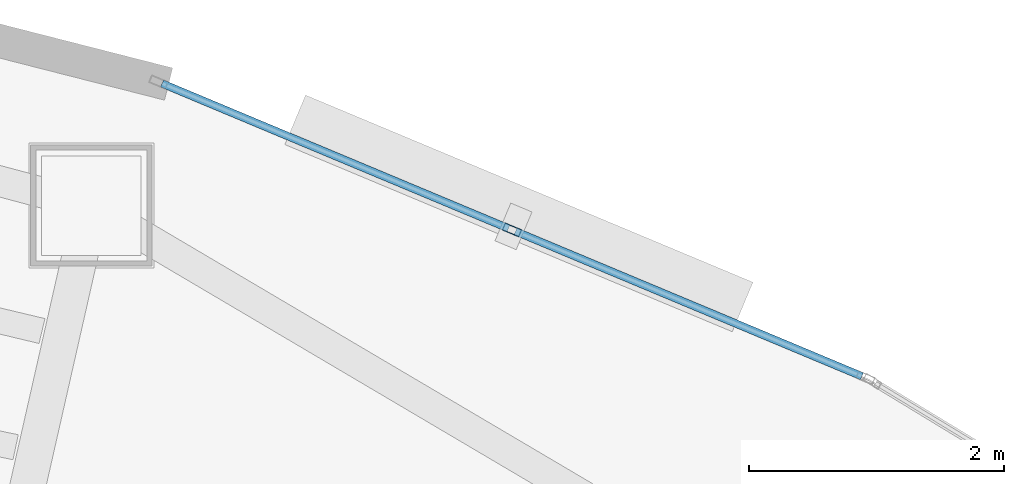
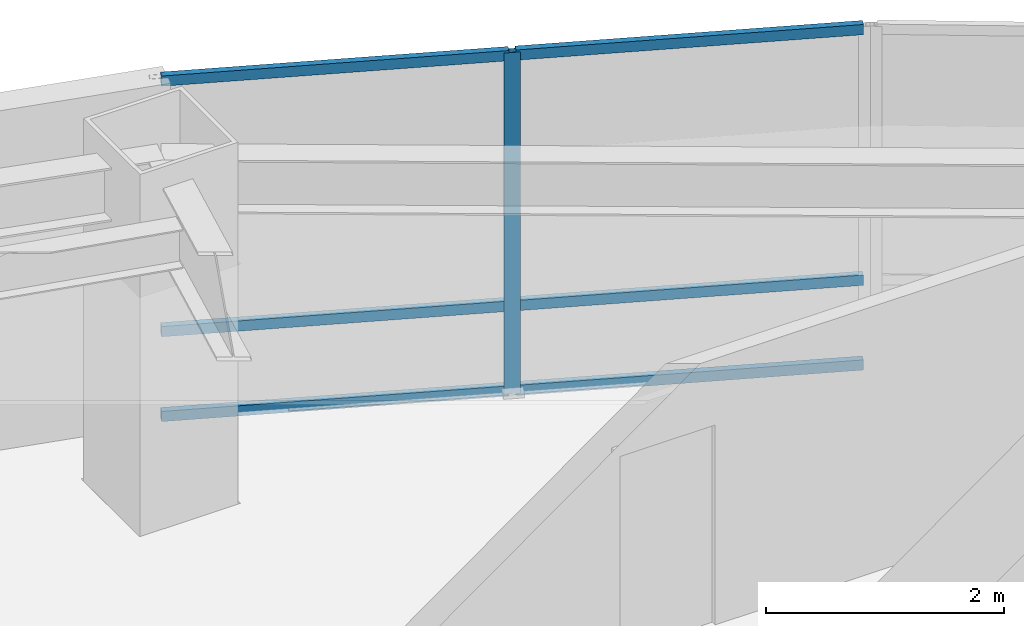
# One storey, part 10 of 15: 7 members, 1 element without a shape of its own.
"""IFC4 building model written with IfcOpenShell, lengths in metres."""

from ifc_helpers import new_model, si_unit, direction, frame, origin, origin_2d, place, context, subcontext, project, spatial, hollow_rectangle, extrude, material, layer, layer_set, material_profile, profile_set, type_object, element, aggregate, save


model = new_model("IFC4")

# Units and contexts
model_context = context("Model", 3, precision=1e-05, world=origin(), true_north=direction((0.0, 1.0)))
body_context = subcontext(model_context, "Body", "Model", "MODEL_VIEW")
ifc_project = project(units=[si_unit("LENGTHUNIT", "METRE"), si_unit("AREAUNIT", "SQUARE_METRE"), si_unit("VOLUMEUNIT", "CUBIC_METRE"), si_unit("PLANEANGLEUNIT", "RADIAN"), si_unit("MASSUNIT", "GRAM", prefix="KILO")], contexts=[model_context])

# Site, building, storey
site_placement = place(None, origin())
site = spatial("IfcSite", under=ifc_project, at=site_placement, CompositionType="ELEMENT")
building_placement = place(site_placement, origin())
building = spatial("IfcBuilding", under=site, at=building_placement, Name="Menara Vayukalpa", CompositionType="ELEMENT")
storey_placement = place(building_placement, frame((0.0, 0.0, 172.919921875)))
storey = spatial("IfcBuildingStorey", under=building, at=storey_placement, Name="L43", CompositionType="ELEMENT", Elevation=172.919921875)

# Curtain wall, members
ifc_material_1 = material(Name="Anodised Terracotta Aluminium Alloy 6063-T6", Category="masonry")
ifc_layer = layer(ifc_material_1, 0.139892578125)
ifc_layer_set = layer_set([ifc_layer], Name="Anodised Terracotta Aluminium Alloy 6063-T6")
curtain_wall_type = type_object("IfcCurtainWallType", Name="CW-CW5", PredefinedType="USERDEFINED", material=ifc_layer_set)
curtain_wall_placement = place(storey_placement, origin())
curtain_wall = element("IfcCurtainWall", 1, at=curtain_wall_placement, inside=storey, type_object=curtain_wall_type, Name="L43 High Rise Tapered Curtain Wall CW5 05", ObjectType="UNITISED", PredefinedType="USERDEFINED")
ifc_material_2 = material(Name="Anodised Terracotta Aluminium Alloy 6063-T6", Category="masonry")
ifc_material_profile_1 = material_profile(ifc_material_2, hollow_rectangle(XDim=0.06005859375, YDim=0.139892578125, WallThickness=0.00341796875, at=origin_2d()), Name="ALU 60x140x3.5")
ifc_profile_set_1 = profile_set([ifc_material_profile_1], Name="Anodised Terracotta Aluminium Alloy 6063-T6")
member_type_1 = type_object("IfcMemberType", Name="CWM-CW5", PredefinedType="MULLION", material=ifc_profile_set_1)
member_1_placement = place(storey_placement, frame((26.686279296875, 32.518310546875, 0.0), z_axis=(0.0, 0.0, 1.0), x_axis=(-0.385902834406, -0.922539431351, 0.0)))
member_1 = element("IfcMember", 2, at=member_1_placement, type_object=member_type_1, Name="CW5 mullion 2", PredefinedType="MULLION", context=body_context, shape_type="SweptSolid", body=[
    extrude(hollow_rectangle(XDim=0.06005859375, YDim=0.139892578125, WallThickness=0.00341796875, at=origin_2d()), origin(), (0.0, 0.0, 1.0), 3.5),
])
ifc_material_3 = material(Name="Anodised Terracotta Aluminium Alloy 6063-T6", Category="masonry")
ifc_material_profile_2 = material_profile(ifc_material_3, hollow_rectangle(XDim=0.06005859375, YDim=0.10498046875, WallThickness=0.0029296875, at=origin_2d()), Name="ALU 60x105x3")
ifc_profile_set_2 = profile_set([ifc_material_profile_2], Name="Anodised Terracotta Aluminium Alloy 6063-T6")
member_type_2 = type_object("IfcMemberType", Name="CWT-CW5", PredefinedType="USERDEFINED", material=ifc_profile_set_2)
member_2_placement = place(storey_placement, frame((29.428466796875, 31.371337890625, 0.030029296875), z_axis=(-0.922543360613, 0.385893440976, 0.0), x_axis=(-0.385893440976, -0.922543360613, 0.0)))
member_2 = element("IfcMember", 3, at=member_2_placement, type_object=member_type_2, Name="CW5 transom 1.1", ObjectType="TRANSOM", PredefinedType="USERDEFINED", context=body_context, shape_type="SweptSolid", body=[
    extrude(hollow_rectangle(XDim=0.06005859375, YDim=0.10498046875, WallThickness=0.0029296875, at=origin_2d()), origin(), (0.0, 0.0, 1.0), 2.942626953125),
])
member_3_placement = place(storey_placement, frame((29.428466796875, 31.371337890625, 0.900146484375), z_axis=(-0.922543360613, 0.385893440976, 0.0), x_axis=(-0.385893440976, -0.922543360613, 0.0)))
member_3 = element("IfcMember", 4, at=member_3_placement, type_object=member_type_2, Name="CW5 transom 1.2", ObjectType="TRANSOM", PredefinedType="USERDEFINED", context=body_context, shape_type="SweptSolid", body=[
    extrude(hollow_rectangle(XDim=0.06005859375, YDim=0.10498046875, WallThickness=0.0029296875, at=origin_2d()), origin(), (0.0, 0.0, 1.0), 2.942626953125),
])
member_4_placement = place(storey_placement, frame((29.428466796875, 31.371337890625, 3.469970703125), z_axis=(-0.922543360613, 0.385893440976, 0.0), x_axis=(-0.385893440976, -0.922543360613, 0.0)))
member_4 = element("IfcMember", 5, at=member_4_placement, type_object=member_type_2, Name="CW5 transom 1.3", ObjectType="TRANSOM", PredefinedType="USERDEFINED", context=body_context, shape_type="SweptSolid", body=[
    extrude(hollow_rectangle(XDim=0.06005859375, YDim=0.10498046875, WallThickness=0.0029296875, at=origin_2d()), origin(), (0.0, 0.0, 1.0), 2.942626953125),
])
member_5_placement = place(storey_placement, frame((26.658447265625, 32.530029296875, 0.030029296875), z_axis=(-0.922543360613, 0.385893440976, 0.0), x_axis=(-0.385893440976, -0.922543360613, 0.0)))
member_5 = element("IfcMember", 6, at=member_5_placement, type_object=member_type_2, Name="CW5 transom 2.1", ObjectType="TRANSOM", PredefinedType="USERDEFINED", context=body_context, shape_type="SweptSolid", body=[
    extrude(hollow_rectangle(XDim=0.06005859375, YDim=0.10498046875, WallThickness=0.0029296875, at=origin_2d()), origin(), (0.0, 0.0, 1.0), 2.942626953125),
])
member_6_placement = place(storey_placement, frame((26.658447265625, 32.530029296875, 0.900146484375), z_axis=(-0.922543360613, 0.385893440976, 0.0), x_axis=(-0.385893440976, -0.922543360613, 0.0)))
member_6 = element("IfcMember", 7, at=member_6_placement, type_object=member_type_2, Name="CW5 transom 2.2", ObjectType="TRANSOM", PredefinedType="USERDEFINED", context=body_context, shape_type="SweptSolid", body=[
    extrude(hollow_rectangle(XDim=0.06005859375, YDim=0.10498046875, WallThickness=0.0029296875, at=origin_2d()), origin(), (0.0, 0.0, 1.0), 2.942626953125),
])
member_7_placement = place(storey_placement, frame((26.658447265625, 32.530029296875, 3.469970703125), z_axis=(-0.922543360613, 0.385893440976, 0.0), x_axis=(-0.385893440976, -0.922543360613, 0.0)))
member_7 = element("IfcMember", 8, at=member_7_placement, type_object=member_type_2, Name="CW5 transom 2.3", ObjectType="TRANSOM", PredefinedType="USERDEFINED", context=body_context, shape_type="SweptSolid", body=[
    extrude(hollow_rectangle(XDim=0.06005859375, YDim=0.10498046875, WallThickness=0.0029296875, at=origin_2d()), origin(), (0.0, 0.0, 1.0), 2.942626953125),
])
aggregate(curtain_wall, [member_1, member_2, member_3, member_4, member_5, member_6, member_7])

save(model, "model.ifc")
